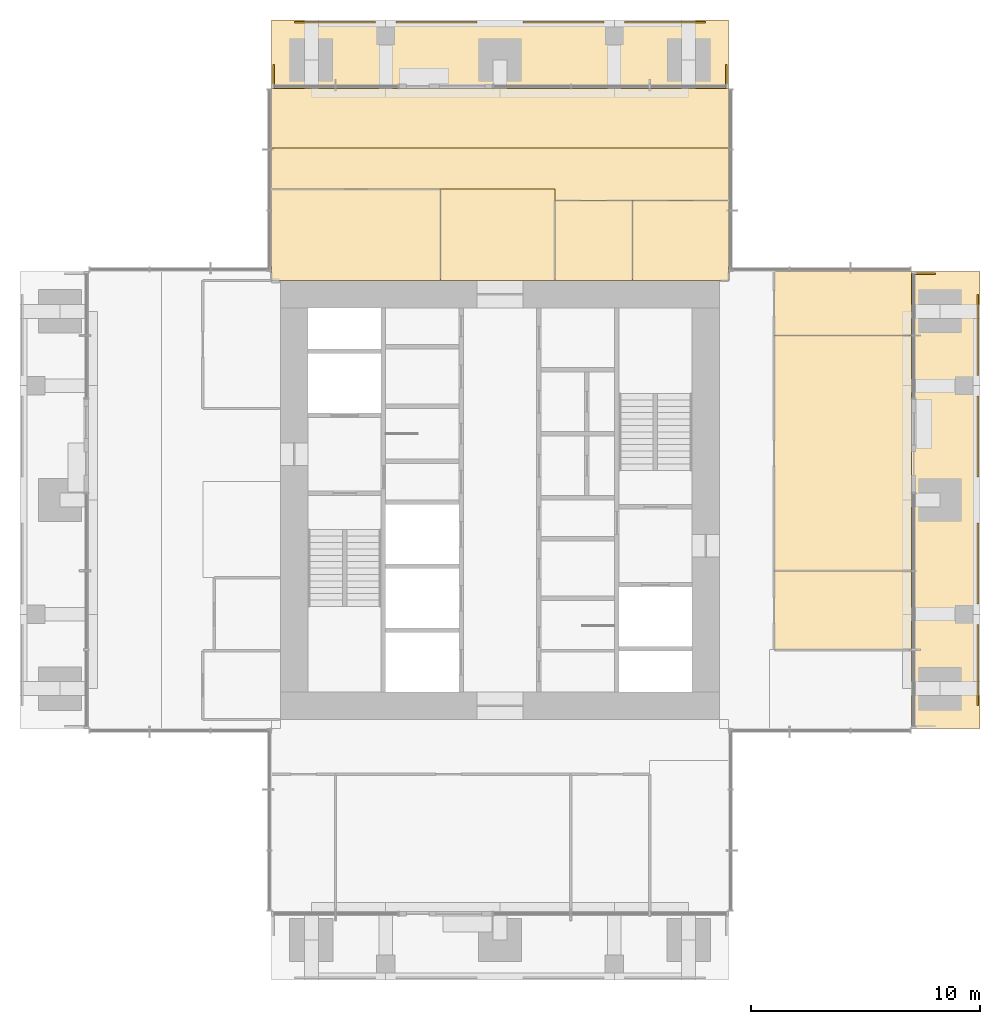
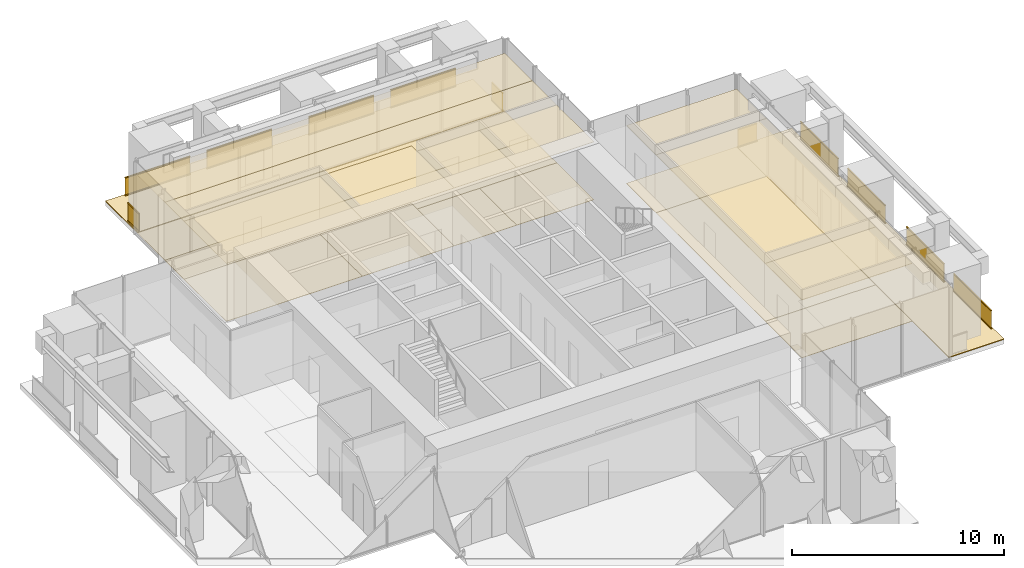
# One storey, part 11 of 12: 20 coverings, 11 railings.
"""IFC4 building model written with IfcOpenShell, lengths in metres."""

from ifc_helpers import new_model, si_unit, direction, frame, origin, origin_2d, place, context, subcontext, project, spatial, polyline, rectangle, outline, extrude, material, layer, layer_set, type_object, element, save


model = new_model("IFC4")

# Units and contexts
model_context = context("Model", 3, precision=1e-05, world=origin(), true_north=direction((0.0, 1.0)))
body_context = subcontext(model_context, "Body", "Model", "MODEL_VIEW")
ifc_project = project(units=[si_unit("LENGTHUNIT", "METRE"), si_unit("AREAUNIT", "SQUARE_METRE"), si_unit("VOLUMEUNIT", "CUBIC_METRE"), si_unit("PLANEANGLEUNIT", "RADIAN"), si_unit("MASSUNIT", "GRAM", prefix="KILO")], contexts=[model_context])

# Site, building, storey
site_placement = place(None, origin())
site = spatial("IfcSite", under=ifc_project, at=site_placement, CompositionType="ELEMENT")
building_placement = place(site_placement, origin())
building = spatial("IfcBuilding", under=site, at=building_placement, Name="Svetlomir Tower", CompositionType="ELEMENT")
storey_placement = place(building_placement, frame((0.0, 0.0, 248.199951171875)))
storey = spatial("IfcBuildingStorey", under=building, at=storey_placement, Name="L59", CompositionType="ELEMENT", Elevation=248.199951171875)

# Railings
ifc_material_1 = material(Name="Bronze anodised aluminium and laminated glass", Category="aluminium")
railing_type = type_object("IfcRailingType", Name="BALCONY GUARD GR1 1100", PredefinedType="GUARDRAIL", material=ifc_material_1)
for number, where, name in (
    (1, (41.89990234375, 12.0, 0.0), "Loggia guard E L59 bay 1"),
    (2, (41.89990234375, 16.449951171875, 0.0), "Loggia guard E L59 bay 2"),
    (3, (41.89990234375, 22.0, 0.0), "Loggia guard E L59 bay 3"),
    (4, (41.89990234375, 26.449951171875, 0.0), "Loggia guard E L59 bay 4"),
):
    element("IfcRailing", number, at=place(storey_placement, frame(where)), inside=storey, type_object=railing_type, Name=name, PredefinedType="GUARDRAIL", context=body_context, shape_type="SweptSolid", body=[
        extrude(rectangle(XDim=0.06005859375, YDim=0.10009765625, at=origin_2d()), frame((0.0, 0.0, 0.050048828125), z_axis=(0.0, 1.0, 0.0), x_axis=(-1.0, 0.0, 0.0)), (0.0, 0.0, 1.0), 3.550048828125),
        extrude(rectangle(XDim=0.021484375, YDim=0.960205078125, at=origin_2d()), frame((0.0, 0.0, 0.580078125), z_axis=(0.0, 1.0, 0.0), x_axis=(-1.0, 0.0, 0.0)), (0.0, 0.0, 1.0), 3.550048828125),
        extrude(rectangle(XDim=0.06005859375, YDim=0.0400390625, at=origin_2d()), frame((0.0, 0.0, 1.080078125), z_axis=(0.0, 1.0, 0.0), x_axis=(-1.0, 0.0, 0.0)), (0.0, 0.0, 1.0), 3.550048828125),
    ])
railing_placement = place(storey_placement, frame((40.050048828125, 30.89990234375, 0.0)))
element("IfcRailing", 5, at=railing_placement, inside=storey, type_object=railing_type, Name="Loggia guard E L59 end 2", PredefinedType="GUARDRAIL", context=body_context, shape_type="SweptSolid", body=[
    extrude(rectangle(XDim=0.06005859375, YDim=0.10009765625, at=origin_2d()), frame((0.0, 0.0, 0.050048828125), z_axis=(-1.0, 0.0, 0.0), x_axis=(0.0, -1.0, 0.0)), (0.0, 0.0, 1.0), 1.050048828125),
    extrude(rectangle(XDim=0.021484375, YDim=0.960205078125, at=origin_2d()), frame((0.0, 0.0, 0.580078125), z_axis=(-1.0, 0.0, 0.0), x_axis=(0.0, -1.0, 0.0)), (0.0, 0.0, 1.0), 1.050048828125),
    extrude(rectangle(XDim=0.06005859375, YDim=0.0400390625, at=origin_2d()), frame((0.0, 0.0, 1.080078125), z_axis=(-1.0, 0.0, 0.0), x_axis=(0.0, -1.0, 0.0)), (0.0, 0.0, 1.0), 1.050048828125),
])
for number, where, name in (
    (6, (12.0, 41.89990234375, 0.0), "Loggia guard N L59 bay 1"),
    (7, (16.449951171875, 41.89990234375, 0.0), "Loggia guard N L59 bay 2"),
    (8, (22.0, 41.89990234375, 0.0), "Loggia guard N L59 bay 3"),
    (9, (26.449951171875, 41.89990234375, 0.0), "Loggia guard N L59 bay 4"),
):
    element("IfcRailing", number, at=place(storey_placement, frame(where)), inside=storey, type_object=railing_type, Name=name, PredefinedType="GUARDRAIL", context=body_context, shape_type="SweptSolid", body=[
        extrude(rectangle(XDim=0.06005859375, YDim=0.10009765625, at=origin_2d()), frame((0.0, 0.0, 0.050048828125), z_axis=(1.0, 0.0, 0.0), x_axis=(0.0, 1.0, 0.0)), (0.0, 0.0, 1.0), 3.550048828125),
        extrude(rectangle(XDim=0.021484375, YDim=0.960205078125, at=origin_2d()), frame((0.0, 0.0, 0.580078125), z_axis=(1.0, 0.0, 0.0), x_axis=(0.0, 1.0, 0.0)), (0.0, 0.0, 1.0), 3.550048828125),
        extrude(rectangle(XDim=0.06005859375, YDim=0.0400390625, at=origin_2d()), frame((0.0, 0.0, 1.080078125), z_axis=(1.0, 0.0, 0.0), x_axis=(0.0, 1.0, 0.0)), (0.0, 0.0, 1.0), 3.550048828125),
    ])
for number, where, name in (
    (10, (11.10009765625, 40.050048828125, 0.0), "Loggia guard N L59 end 1"),
    (11, (30.89990234375, 40.050048828125, 0.0), "Loggia guard N L59 end 2"),
):
    element("IfcRailing", number, at=place(storey_placement, frame(where)), inside=storey, type_object=railing_type, Name=name, PredefinedType="GUARDRAIL", context=body_context, shape_type="SweptSolid", body=[
        extrude(rectangle(XDim=0.06005859375, YDim=0.10009765625, at=origin_2d()), frame((0.0, 0.0, 0.050048828125), z_axis=(0.0, -1.0, 0.0), x_axis=(1.0, 0.0, 0.0)), (0.0, 0.0, 1.0), 1.050048828125),
        extrude(rectangle(XDim=0.021484375, YDim=0.960205078125, at=origin_2d()), frame((0.0, 0.0, 0.580078125), z_axis=(0.0, -1.0, 0.0), x_axis=(1.0, 0.0, 0.0)), (0.0, 0.0, 1.0), 1.050048828125),
        extrude(rectangle(XDim=0.06005859375, YDim=0.0400390625, at=origin_2d()), frame((0.0, 0.0, 1.080078125), z_axis=(0.0, -1.0, 0.0), x_axis=(1.0, 0.0, 0.0)), (0.0, 0.0, 1.0), 1.050048828125),
    ])

# Coverings
ifc_material_2 = material(Name="Granite paving slabs on pedestals", Category="masonry")
ifc_layer_1 = layer(ifc_material_2, 0.0400390625)
ifc_layer_set_1 = layer_set([ifc_layer_1], Name="Granite paving slabs on pedestals")
covering_type_1 = type_object("IfcCoveringType", Name="BALCONY PAVING 40", PredefinedType="USERDEFINED", material=ifc_layer_set_1)
covering_1_placement = place(storey_placement, origin())
element("IfcCovering", 12, at=covering_1_placement, inside=storey, type_object=covering_type_1, Name="Loggia paving E L59", ObjectType="BALCONY PAVING", PredefinedType="USERDEFINED", context=body_context, shape_type="SweptSolid", body=[
    extrude(outline(polyline([(39.0, 11.0), (42.0, 11.0), (42.0, 31.0), (39.0, 31.0), (39.0, 11.0)])), origin(), (0.0, 0.0, 1.0), 0.0400390625),
])
covering_2_placement = place(storey_placement, origin())
element("IfcCovering", 13, at=covering_2_placement, inside=storey, type_object=covering_type_1, Name="Loggia paving N L59", ObjectType="BALCONY PAVING", PredefinedType="USERDEFINED", context=body_context, shape_type="SweptSolid", body=[
    extrude(outline(polyline([(11.0, 39.0), (31.0, 39.0), (31.0, 42.0), (11.0, 42.0), (11.0, 39.0)])), origin(), (0.0, 0.0, 1.0), 0.0400390625),
])
ifc_material_3 = material(Name="Engineered oak floor", Category="wood")
ifc_layer_2 = layer(ifc_material_3, 0.02001953125)
ifc_layer_set_2 = layer_set([ifc_layer_2], Name="Engineered oak floor")
covering_type_2 = type_object("IfcCoveringType", Name="OAK FLOOR 20", PredefinedType="FLOORING", material=ifc_layer_set_2)
covering_3_placement = place(storey_placement, origin())
element("IfcCovering", 14, at=covering_3_placement, inside=storey, type_object=covering_type_2, Name="Floor finish L59-22", PredefinedType="FLOORING", context=body_context, shape_type="SweptSolid", body=[
    extrude(outline(polyline([(33.0, 14.449951171875), (39.0, 14.449951171875), (39.0, 17.89990234375), (33.0, 17.89990234375), (33.0, 14.449951171875)])), origin(), (0.0, 0.0, 1.0), 0.02001953125),
])
covering_4_placement = place(storey_placement, origin())
element("IfcCovering", 15, at=covering_4_placement, inside=storey, type_object=covering_type_2, Name="Floor finish L59-23", PredefinedType="FLOORING", context=body_context, shape_type="SweptSolid", body=[
    extrude(outline(polyline([(33.0, 17.89990234375), (39.0, 17.89990234375), (39.0, 28.199951171875), (33.0, 28.199951171875), (33.0, 17.89990234375)])), origin(), (0.0, 0.0, 1.0), 0.02001953125),
])
covering_5_placement = place(storey_placement, origin())
element("IfcCovering", 16, at=covering_5_placement, inside=storey, type_object=covering_type_2, Name="Floor finish L59-24", PredefinedType="FLOORING", context=body_context, shape_type="SweptSolid", body=[
    extrude(outline(polyline([(33.0, 28.199951171875), (39.0, 28.199951171875), (39.0, 31.0), (33.0, 31.0), (33.0, 28.199951171875)])), origin(), (0.0, 0.0, 1.0), 0.02001953125),
])
covering_6_placement = place(storey_placement, origin())
element("IfcCovering", 17, at=covering_6_placement, inside=storey, type_object=covering_type_2, Name="Floor finish L59-25", PredefinedType="FLOORING", context=body_context, shape_type="SweptSolid", body=[
    extrude(outline(polyline([(11.0, 30.60009765625), (18.39990234375, 30.60009765625), (18.39990234375, 34.60009765625), (11.0, 34.60009765625), (11.0, 30.60009765625)])), origin(), (0.0, 0.0, 1.0), 0.02001953125),
])
covering_7_placement = place(storey_placement, origin())
element("IfcCovering", 18, at=covering_7_placement, inside=storey, type_object=covering_type_2, Name="Floor finish L59-26", PredefinedType="FLOORING", context=body_context, shape_type="SweptSolid", body=[
    extrude(outline(polyline([(23.39990234375, 30.60009765625), (26.800048828125, 30.60009765625), (26.800048828125, 34.10009765625), (23.39990234375, 34.10009765625), (23.39990234375, 30.60009765625)])), origin(), (0.0, 0.0, 1.0), 0.02001953125),
])
covering_8_placement = place(storey_placement, origin())
element("IfcCovering", 19, at=covering_8_placement, inside=storey, type_object=covering_type_2, Name="Floor finish L59-27", PredefinedType="FLOORING", context=body_context, shape_type="SweptSolid", body=[
    extrude(outline(polyline([(26.800048828125, 30.60009765625), (31.0, 30.60009765625), (31.0, 34.10009765625), (26.800048828125, 34.10009765625), (26.800048828125, 30.60009765625)])), origin(), (0.0, 0.0, 1.0), 0.02001953125),
])
covering_9_placement = place(storey_placement, origin())
element("IfcCovering", 20, at=covering_9_placement, inside=storey, type_object=covering_type_2, Name="Floor finish L59-34", PredefinedType="FLOORING", context=body_context, shape_type="SweptSolid", body=[
    extrude(outline(polyline([(11.0, 34.60009765625), (11.0, 36.39990234375), (31.0, 36.39990234375), (31.0, 34.10009765625), (23.39990234375, 34.10009765625), (23.39990234375, 34.60009765625), (11.0, 34.60009765625)])), origin(), (0.0, 0.0, 1.0), 0.02001953125),
])
covering_10_placement = place(storey_placement, origin())
element("IfcCovering", 21, at=covering_10_placement, inside=storey, type_object=covering_type_2, Name="Floor finish L59-37", PredefinedType="FLOORING", context=body_context, shape_type="SweptSolid", body=[
    extrude(outline(polyline([(18.39990234375, 30.60009765625), (18.39990234375, 34.60009765625), (23.39990234375, 34.60009765625), (23.39990234375, 30.60009765625), (18.39990234375, 30.60009765625)])), origin(), (0.0, 0.0, 1.0), 0.02001953125),
])
covering_11_placement = place(storey_placement, origin())
element("IfcCovering", 22, at=covering_11_placement, inside=storey, type_object=covering_type_2, Name="Floor finish L59-38", PredefinedType="FLOORING", context=body_context, shape_type="SweptSolid", body=[
    extrude(outline(polyline([(31.0, 39.0), (31.0, 36.39990234375), (11.0, 36.39990234375), (11.0, 39.0), (31.0, 39.0)])), origin(), (0.0, 0.0, 1.0), 0.02001953125),
])
ifc_material_4 = material(Name="Mineral fibre ceiling tile", Category="mineral")
ifc_layer_3 = layer(ifc_material_4, 0.02001953125)
ifc_layer_set_3 = layer_set([ifc_layer_3], Name="Mineral fibre ceiling tile")
covering_type_3 = type_object("IfcCoveringType", Name="SUSPENDED CEILING 20", PredefinedType="CEILING", material=ifc_layer_set_3)
covering_12_placement = place(storey_placement, frame((0.0, 0.0, 3.330078125)))
element("IfcCovering", 23, at=covering_12_placement, inside=storey, type_object=covering_type_3, Name="Ceiling L59-22", PredefinedType="CEILING", context=body_context, shape_type="SweptSolid", body=[
    extrude(outline(polyline([(33.0, 14.449951171875), (39.0, 14.449951171875), (39.0, 17.89990234375), (33.0, 17.89990234375), (33.0, 14.449951171875)])), origin(), (0.0, 0.0, 1.0), 0.02001953125),
])
covering_13_placement = place(storey_placement, frame((0.0, 0.0, 3.330078125)))
element("IfcCovering", 24, at=covering_13_placement, inside=storey, type_object=covering_type_3, Name="Ceiling L59-23", PredefinedType="CEILING", context=body_context, shape_type="SweptSolid", body=[
    extrude(outline(polyline([(33.0, 17.89990234375), (39.0, 17.89990234375), (39.0, 28.199951171875), (33.0, 28.199951171875), (33.0, 17.89990234375)])), origin(), (0.0, 0.0, 1.0), 0.02001953125),
])
covering_14_placement = place(storey_placement, frame((0.0, 0.0, 3.330078125)))
element("IfcCovering", 25, at=covering_14_placement, inside=storey, type_object=covering_type_3, Name="Ceiling L59-24", PredefinedType="CEILING", context=body_context, shape_type="SweptSolid", body=[
    extrude(outline(polyline([(33.0, 28.199951171875), (39.0, 28.199951171875), (39.0, 31.0), (33.0, 31.0), (33.0, 28.199951171875)])), origin(), (0.0, 0.0, 1.0), 0.02001953125),
])
covering_15_placement = place(storey_placement, frame((0.0, 0.0, 3.330078125)))
element("IfcCovering", 26, at=covering_15_placement, inside=storey, type_object=covering_type_3, Name="Ceiling L59-25", PredefinedType="CEILING", context=body_context, shape_type="SweptSolid", body=[
    extrude(outline(polyline([(11.0, 30.60009765625), (18.39990234375, 30.60009765625), (18.39990234375, 34.60009765625), (11.0, 34.60009765625), (11.0, 30.60009765625)])), origin(), (0.0, 0.0, 1.0), 0.02001953125),
])
covering_16_placement = place(storey_placement, frame((0.0, 0.0, 3.330078125)))
element("IfcCovering", 27, at=covering_16_placement, inside=storey, type_object=covering_type_3, Name="Ceiling L59-26", PredefinedType="CEILING", context=body_context, shape_type="SweptSolid", body=[
    extrude(outline(polyline([(23.39990234375, 30.60009765625), (26.800048828125, 30.60009765625), (26.800048828125, 34.10009765625), (23.39990234375, 34.10009765625), (23.39990234375, 30.60009765625)])), origin(), (0.0, 0.0, 1.0), 0.02001953125),
])
covering_17_placement = place(storey_placement, frame((0.0, 0.0, 3.330078125)))
element("IfcCovering", 28, at=covering_17_placement, inside=storey, type_object=covering_type_3, Name="Ceiling L59-27", PredefinedType="CEILING", context=body_context, shape_type="SweptSolid", body=[
    extrude(outline(polyline([(26.800048828125, 30.60009765625), (31.0, 30.60009765625), (31.0, 34.10009765625), (26.800048828125, 34.10009765625), (26.800048828125, 30.60009765625)])), origin(), (0.0, 0.0, 1.0), 0.02001953125),
])
covering_18_placement = place(storey_placement, frame((0.0, 0.0, 3.330078125)))
element("IfcCovering", 29, at=covering_18_placement, inside=storey, type_object=covering_type_3, Name="Ceiling L59-34", PredefinedType="CEILING", context=body_context, shape_type="SweptSolid", body=[
    extrude(outline(polyline([(11.0, 34.60009765625), (11.0, 36.39990234375), (31.0, 36.39990234375), (31.0, 34.10009765625), (23.39990234375, 34.10009765625), (23.39990234375, 34.60009765625), (11.0, 34.60009765625)])), origin(), (0.0, 0.0, 1.0), 0.02001953125),
])
covering_19_placement = place(storey_placement, frame((0.0, 0.0, 3.330078125)))
element("IfcCovering", 30, at=covering_19_placement, inside=storey, type_object=covering_type_3, Name="Ceiling L59-37", PredefinedType="CEILING", context=body_context, shape_type="SweptSolid", body=[
    extrude(outline(polyline([(18.39990234375, 30.60009765625), (18.39990234375, 34.60009765625), (23.39990234375, 34.60009765625), (23.39990234375, 30.60009765625), (18.39990234375, 30.60009765625)])), origin(), (0.0, 0.0, 1.0), 0.02001953125),
])
covering_20_placement = place(storey_placement, frame((0.0, 0.0, 3.330078125)))
element("IfcCovering", 31, at=covering_20_placement, inside=storey, type_object=covering_type_3, Name="Ceiling L59-38", PredefinedType="CEILING", context=body_context, shape_type="SweptSolid", body=[
    extrude(outline(polyline([(31.0, 39.0), (31.0, 36.39990234375), (11.0, 36.39990234375), (11.0, 39.0), (31.0, 39.0)])), origin(), (0.0, 0.0, 1.0), 0.02001953125),
])

save(model, "model.ifc")
